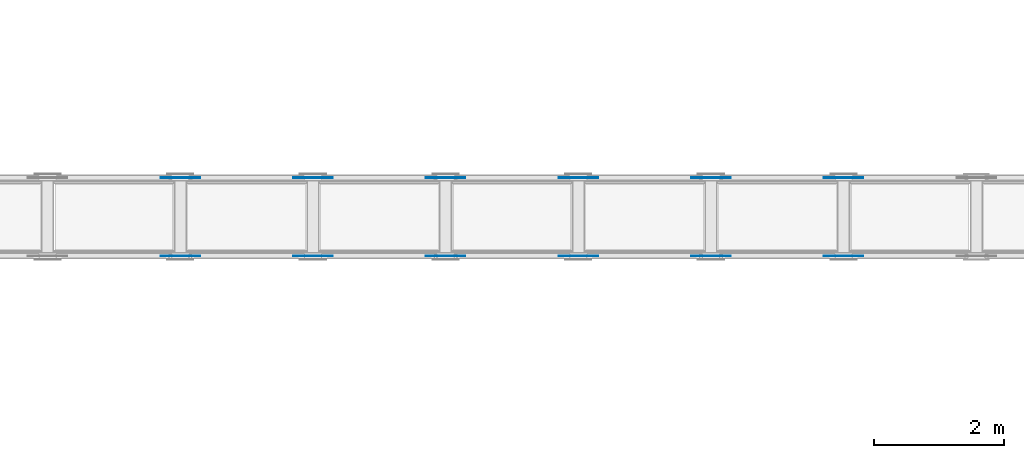
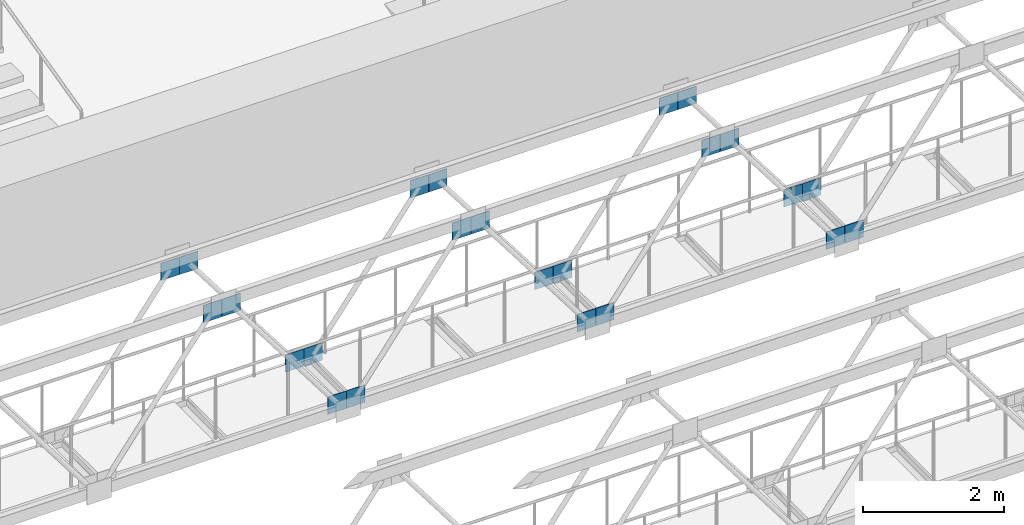
# One storey, part 47 of 70: 24 discrete accessories.
"""IFC4 building model written with IfcOpenShell, lengths in metres."""

from ifc_helpers import new_model, si_unit, direction, frame, origin, origin_2d, place, context, subcontext, project, spatial, rectangle, extrude, material, material_profile, profile_set, type_object, element, save


model = new_model("IFC4")

# Units and contexts
model_context = context("Model", 3, precision=1e-05, world=origin(), true_north=direction((0.0, 1.0)))
body_context = subcontext(model_context, "Body", "Model", "MODEL_VIEW")
ifc_project = project(units=[si_unit("LENGTHUNIT", "METRE"), si_unit("AREAUNIT", "SQUARE_METRE"), si_unit("VOLUMEUNIT", "CUBIC_METRE"), si_unit("PLANEANGLEUNIT", "RADIAN"), si_unit("MASSUNIT", "GRAM", prefix="KILO")], contexts=[model_context])

# Site, building, storey
site_placement = place(None, origin())
site = spatial("IfcSite", under=ifc_project, at=site_placement, CompositionType="ELEMENT")
building_placement = place(site_placement, origin())
building = spatial("IfcBuilding", under=site, at=building_placement, Name="Saffron Lane Theatres", CompositionType="ELEMENT")
storey_placement = place(building_placement, frame((0.0, 0.0, 12.0)))
storey = spatial("IfcBuildingStorey", under=building, at=storey_placement, Name="L02", CompositionType="ELEMENT", Elevation=12.0)

# Discrete accessories
ifc_material = material(Name="Steel Grade 350", Category="steel")
ifc_material_profile = material_profile(ifc_material, rectangle(XDim=0.300048828125, YDim=0.300048828125, at=origin_2d()))
ifc_profile_set = profile_set([ifc_material_profile], Name="Steel Grade 350")
discrete_accessory_type = type_object("IfcDiscreteAccessoryType", Name="ST-GUSSET CONNECTION PLATE", PredefinedType="BRACKET", material=ifc_profile_set)
for number, where, z_axis, x_axis, name in (
    (1, (28.77587890625, 68.39501953125, 6.777099609375), (0.0, 1.0, 0.0), (-1.0, 0.0, 0.0), "GB532"),
    (2, (29.081298828125, 68.39501953125, 6.777099609375), (0.0, 1.0, 0.0), (-1.0, 0.0, 0.0), "GB533"),
    (3, (30.8115234375, 68.39501953125, 4.48291015625), (0.0, 1.0, 0.0), (-1.0, 0.0, 0.0), "GB534"),
    (4, (31.116943359375, 68.39501953125, 4.48291015625), (0.0, 1.0, 0.0), (-1.0, 0.0, 0.0), "GB535"),
    (5, (32.847412109375, 68.39501953125, 6.777099609375), (0.0, 1.0, 0.0), (-1.0, 0.0, 0.0), "GB536"),
    (6, (33.152587890625, 68.39501953125, 6.777099609375), (0.0, 1.0, 0.0), (-1.0, 0.0, 0.0), "GB537"),
    (7, (34.883056640625, 68.39501953125, 4.48291015625), (0.0, 1.0, 0.0), (-1.0, 0.0, 0.0), "GB538"),
    (8, (35.1884765625, 68.39501953125, 4.48291015625), (0.0, 1.0, 0.0), (-1.0, 0.0, 0.0), "GB539"),
    (9, (36.918701171875, 68.39501953125, 6.777099609375), (0.0, 1.0, 0.0), (-1.0, 0.0, 0.0), "GB540"),
    (10, (37.22412109375, 68.39501953125, 6.777099609375), (0.0, 1.0, 0.0), (-1.0, 0.0, 0.0), "GB541"),
    (11, (38.954345703125, 68.39501953125, 4.48291015625), (0.0, 1.0, 0.0), (-1.0, 0.0, 0.0), "GB542"),
    (12, (39.259765625, 68.39501953125, 4.48291015625), (0.0, 1.0, 0.0), (-1.0, 0.0, 0.0), "GB543"),
    (13, (28.77587890625, 69.594970703125, 6.777099609375), (0.0, 1.0, 0.0), (-1.0, 0.0, 0.0), "GB558"),
    (14, (29.081298828125, 69.594970703125, 6.777099609375), (0.0, 1.0, 0.0), (-1.0, 0.0, 0.0), "GB559"),
    (15, (30.8115234375, 69.594970703125, 4.48291015625), (0.0, 1.0, 0.0), (-1.0, 0.0, 0.0), "GB560"),
    (16, (31.116943359375, 69.594970703125, 4.48291015625), (0.0, 1.0, 0.0), (-1.0, 0.0, 0.0), "GB561"),
    (17, (32.847412109375, 69.594970703125, 6.777099609375), (0.0, 1.0, 0.0), (-1.0, 0.0, 0.0), "GB562"),
    (18, (33.152587890625, 69.594970703125, 6.777099609375), (0.0, 1.0, 0.0), (-1.0, 0.0, 0.0), "GB563"),
    (19, (34.883056640625, 69.594970703125, 4.48291015625), (0.0, 1.0, 0.0), (-1.0, 0.0, 0.0), "GB564"),
    (20, (35.1884765625, 69.594970703125, 4.48291015625), (0.0, 1.0, 0.0), (-1.0, 0.0, 0.0), "GB565"),
    (21, (36.918701171875, 69.594970703125, 6.777099609375), (0.0, 1.0, 0.0), (-1.0, 0.0, 0.0), "GB566"),
    (22, (37.22412109375, 69.594970703125, 6.777099609375), (0.0, 1.0, 0.0), (-1.0, 0.0, 0.0), "GB567"),
    (23, (38.954345703125, 69.594970703125, 4.48291015625), (0.0, 1.0, 0.0), (-1.0, 0.0, 0.0), "GB568"),
    (24, (39.259765625, 69.594970703125, 4.48291015625), (0.0, 1.0, 0.0), (-1.0, 0.0, 0.0), "GB569"),
):
    element("IfcDiscreteAccessory", number, at=place(storey_placement, frame(where, z_axis=z_axis, x_axis=x_axis)), inside=storey, type_object=discrete_accessory_type, Name=name, PredefinedType="BRACKET", context=body_context, shape_type="SweptSolid", body=[
        extrude(rectangle(XDim=0.300048828125, YDim=0.300048828125, at=origin_2d()), origin(), (0.0, 0.0, 1.0), 0.010009765625),
    ])

save(model, "model.ifc")
